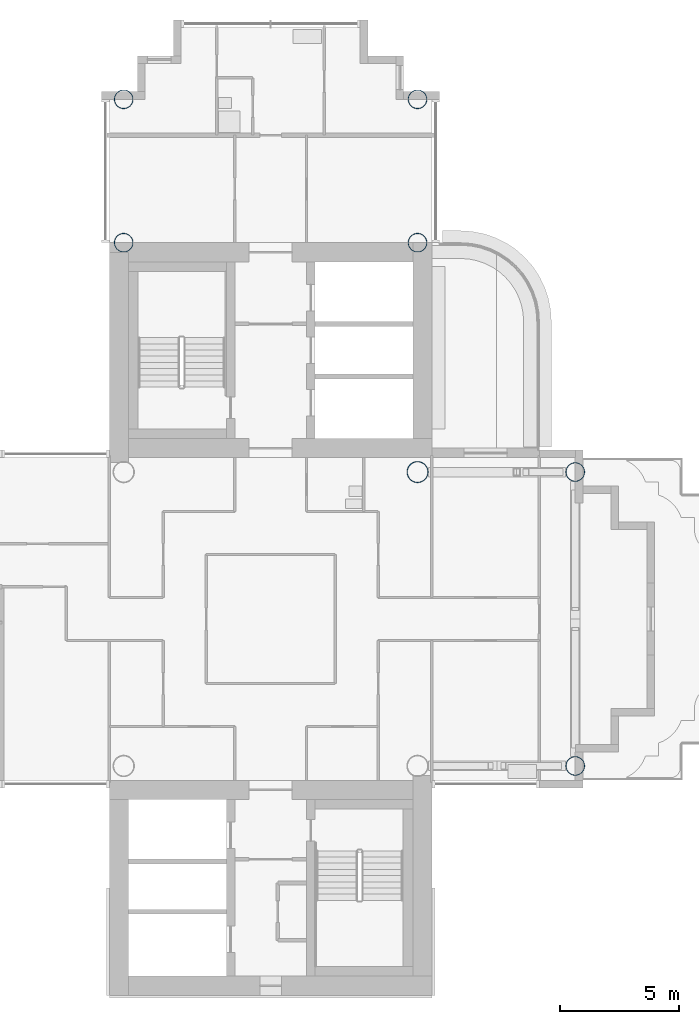
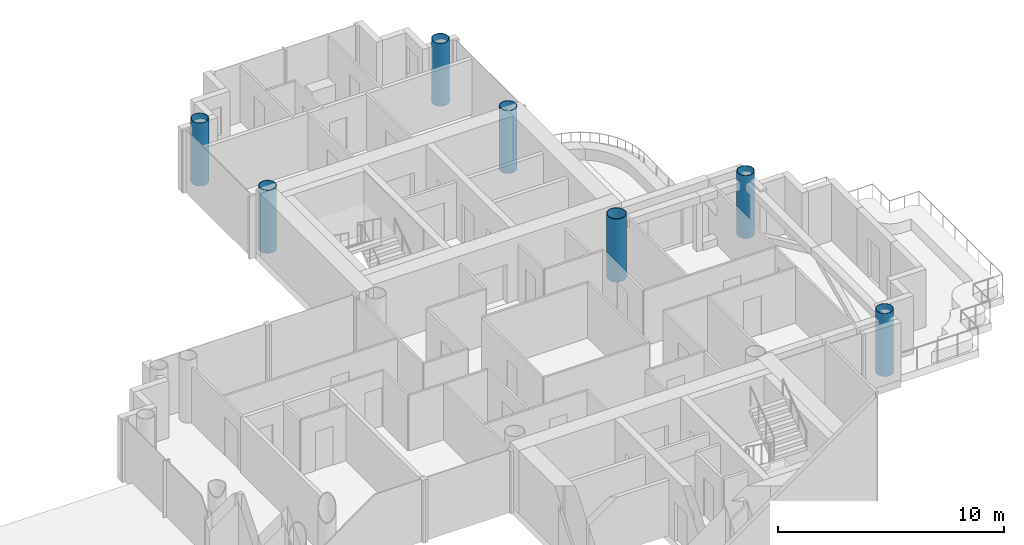
# One storey, part 2 of 19: 7 columns.
"""IFC4 building model written with IfcOpenShell, lengths in metres."""

from ifc_helpers import new_model, si_unit, direction, frame, origin, origin_2d, place, context, subcontext, project, spatial, hollow_circle, extrude, material, material_profile, profile_set, type_object, element, save


model = new_model("IFC4")

# Units and contexts
model_context = context("Model", 3, precision=1e-05, world=origin(), true_north=direction((0.0, 1.0)))
body_context = subcontext(model_context, "Body", "Model", "MODEL_VIEW")
ifc_project = project(units=[si_unit("LENGTHUNIT", "METRE"), si_unit("AREAUNIT", "SQUARE_METRE"), si_unit("VOLUMEUNIT", "CUBIC_METRE"), si_unit("PLANEANGLEUNIT", "RADIAN"), si_unit("MASSUNIT", "GRAM", prefix="KILO")], contexts=[model_context])

# Site, building, storey
site_placement = place(None, origin())
site = spatial("IfcSite", under=ifc_project, at=site_placement, CompositionType="ELEMENT")
building_placement = place(site_placement, origin())
building = spatial("IfcBuilding", under=site, at=building_placement, Name="Ipe Terrace Towers", CompositionType="ELEMENT")
storey_placement = place(building_placement, frame((0.0, 0.0, 133.699951171875)))
storey = spatial("IfcBuildingStorey", under=building, at=storey_placement, Name="L36", CompositionType="ELEMENT", Elevation=133.699951171875)

# Columns
ifc_material_1 = material(Name="Steel S355 tube with Concrete C60/75 fill", Category="concrete")
ifc_material_profile_1 = material_profile(ifc_material_1, hollow_circle(Radius=0.39990234375, WallThickness=0.028076171875, at=origin_2d()), Name="CHS-800x28")
ifc_profile_set_1 = profile_set([ifc_material_profile_1], Name="Steel S355 tube with Concrete C60/75 fill")
column_type_1 = type_object("IfcColumnType", Name="CH09 COLUMN CHS-800x28", PredefinedType="COLUMN", material=ifc_profile_set_1)
for number, where, z_axis, x_axis, name in (
    (1, (42.14990234375, 15.75, 0.0), (0.0, 0.0, 1.0), (1.0, 0.0, 0.0), "Column T2-C-A01"),
    (2, (29.85009765625, 15.75, 0.0), (0.0, 0.0, 1.0), (1.0, 0.0, 0.0), "Column T2-C-A02"),
    (3, (42.14990234375, 21.75, 0.0), (0.0, 0.0, 1.0), (1.0, 0.0, 0.0), "Column T2-C-A03"),
    (4, (29.85009765625, 21.75, 0.0), (0.0, 0.0, 1.0), (1.0, 0.0, 0.0), "Column T2-C-A04"),
    (5, (48.75, -6.14990234375, 0.0), (0.0, 0.0, 1.0), (1.0, 0.0, 0.0), "Column T2-C-D01"),
    (6, (48.75, 6.14990234375, 0.0), (0.0, 0.0, 1.0), (1.0, 0.0, 0.0), "Column T2-C-D02"),
):
    element("IfcColumn", number, at=place(storey_placement, frame(where, z_axis=z_axis, x_axis=x_axis)), inside=storey, type_object=column_type_1, Name=name, PredefinedType="COLUMN", context=body_context, shape_type="SweptSolid", body=[
        extrude(hollow_circle(Radius=0.39990234375, WallThickness=0.028076171875, at=origin_2d()), origin(), (0.0, 0.0, 1.0), 3.400146484375),
    ])
ifc_material_2 = material(Name="Steel S355 tube with Concrete C60/75 fill", Category="concrete")
ifc_material_profile_2 = material_profile(ifc_material_2, hollow_circle(Radius=0.449951171875, WallThickness=0.031982421875, at=origin_2d()), Name="CHS-900x32")
ifc_profile_set_2 = profile_set([ifc_material_profile_2], Name="Steel S355 tube with Concrete C60/75 fill")
column_type_2 = type_object("IfcColumnType", Name="CH10 COLUMN CHS-900x32", PredefinedType="COLUMN", material=ifc_profile_set_2)
column_placement = place(storey_placement, frame((42.14990234375, 6.14990234375, 0.0), z_axis=(0.0, 0.0, 1.0), x_axis=(1.0, 0.0, 0.0)))
element("IfcColumn", 7, at=column_placement, inside=storey, type_object=column_type_2, Name="Column T2-C-E02", PredefinedType="COLUMN", context=body_context, shape_type="SweptSolid", body=[
    extrude(hollow_circle(Radius=0.449951171875, WallThickness=0.031982421875, at=origin_2d()), origin(), (0.0, 0.0, 1.0), 3.400146484375),
])

save(model, "model.ifc")
